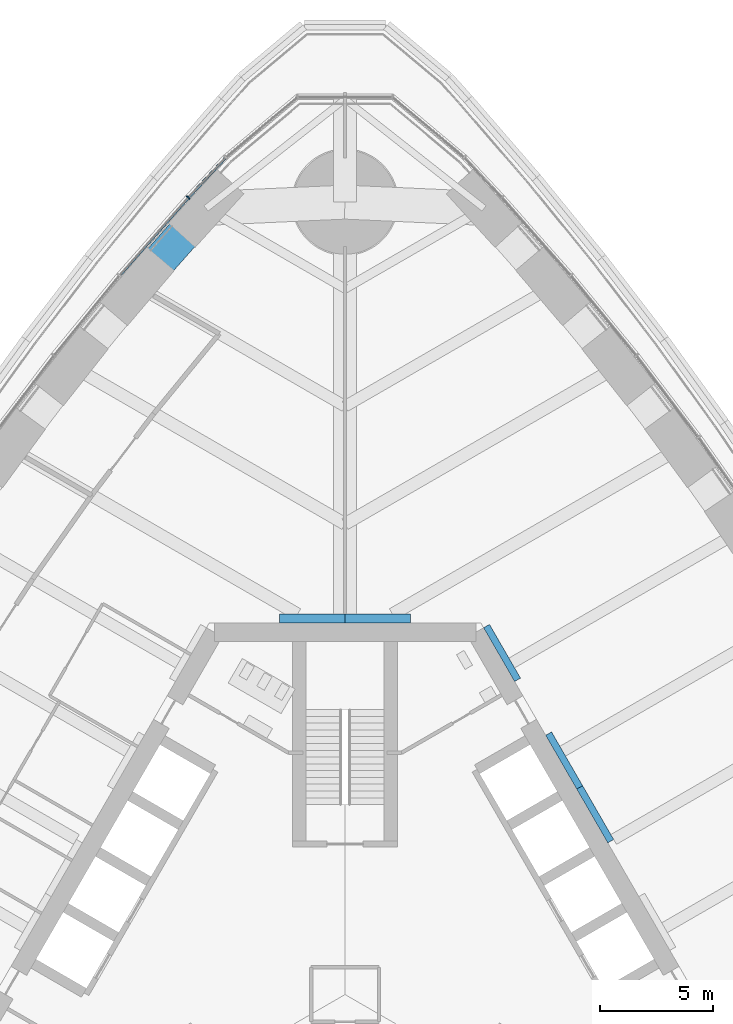
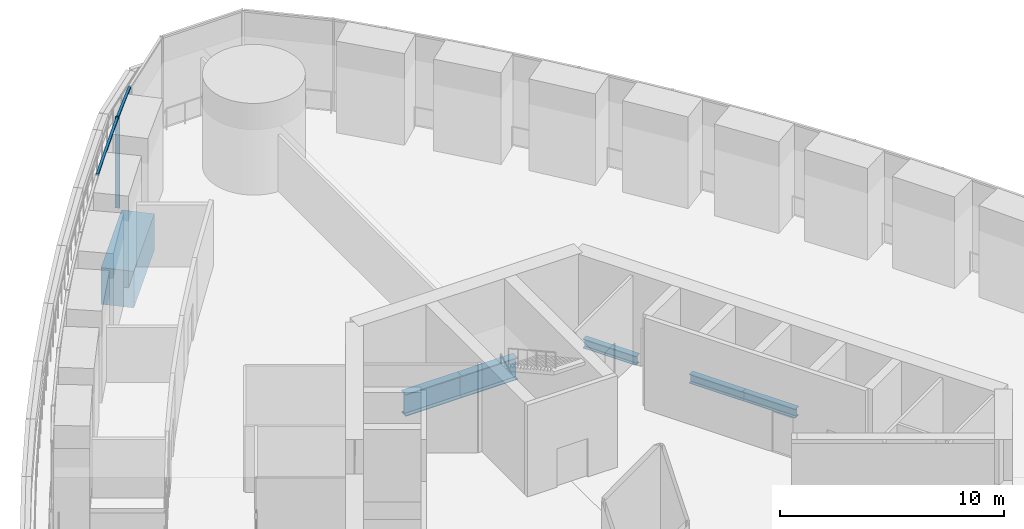
# One storey, part 7 of 33: 6 beams, 3 members, 1 element without a shape of its own.
"""IFC4 building model written with IfcOpenShell, lengths in metres."""

from ifc_helpers import new_model, si_unit, direction, frame, origin, origin_2d, place, context, subcontext, project, spatial, rectangle, i_section, extrude, material, material_profile, profile_set, type_object, element, aggregate, save


model = new_model("IFC4")

# Units and contexts
model_context = context("Model", 3, precision=1e-05, world=origin(), true_north=direction((0.0, 1.0)))
body_context = subcontext(model_context, "Body", "Model", "MODEL_VIEW")
ifc_project = project(units=[si_unit("LENGTHUNIT", "METRE"), si_unit("AREAUNIT", "SQUARE_METRE"), si_unit("VOLUMEUNIT", "CUBIC_METRE"), si_unit("PLANEANGLEUNIT", "RADIAN"), si_unit("MASSUNIT", "GRAM", prefix="KILO")], contexts=[model_context])

# Site, building, storey
site_placement = place(None, origin())
site = spatial("IfcSite", under=ifc_project, at=site_placement, CompositionType="ELEMENT")
building_placement = place(site_placement, origin())
building = spatial("IfcBuilding", under=site, at=building_placement, Name="Trefoil Bronze Tower", CompositionType="ELEMENT")
storey_placement = place(building_placement, frame((0.0, 0.0, 98.10009765625)))
storey = spatial("IfcBuildingStorey", under=building, at=storey_placement, Name="L22", CompositionType="ELEMENT", Elevation=98.10009765625)

# Curtain wall, members
ifc_material_1 = material(Name="Tinted solar-control glass", Category="glass")
curtain_wall_type = type_object("IfcCurtainWallType", Name="Bronze sky lobby curtain wall", PredefinedType="USERDEFINED", material=ifc_material_1)
curtain_wall_placement = place(storey_placement, origin())
curtain_wall = element("IfcCurtainWall", 1, at=curtain_wall_placement, inside=storey, type_object=curtain_wall_type, Name="CW-D L22 F3 run 1", ObjectType="CURTAIN WALL", PredefinedType="USERDEFINED")
ifc_material_2 = material(Name="Bronze-finish aluminium", Category="aluminium")
ifc_material_profile_1 = material_profile(ifc_material_2, rectangle(XDim=0.199951171875, YDim=0.06005859375, at=origin_2d()), Name="CW-D mullion")
ifc_profile_set_1 = profile_set([ifc_material_profile_1], Name="Bronze-finish aluminium")
member_type_1 = type_object("IfcMemberType", Name="Bronze sky lobby curtain wall mullion", PredefinedType="MULLION", material=ifc_profile_set_1)
member_1_placement = place(storey_placement, frame((-6.922119140625, 35.19775390625, 0.0), z_axis=(0.0, 0.0, 1.0), x_axis=(0.740360700327, -0.672209813534, 0.0)))
member_1 = element("IfcMember", 2, at=member_1_placement, type_object=member_type_1, Name="CW-D L22 F3 run 1 mullion 2", PredefinedType="MULLION", context=body_context, shape_type="SweptSolid", body=[
    extrude(rectangle(XDim=0.199951171875, YDim=0.06005859375, at=origin_2d()), origin(), (0.0, 0.0, 1.0), 4.97998046875),
])
ifc_material_3 = material(Name="Bronze-finish aluminium", Category="aluminium")
ifc_material_profile_2 = material_profile(ifc_material_3, rectangle(XDim=0.1201171875, YDim=0.10009765625, at=origin_2d()), Name="CW-D transom")
ifc_profile_set_2 = profile_set([ifc_material_profile_2], Name="Bronze-finish aluminium")
member_type_2 = type_object("IfcMemberType", Name="Bronze sky lobby curtain wall transom", PredefinedType="USERDEFINED", material=ifc_profile_set_2)
member_2_placement = place(storey_placement, frame((-5.289794921875, 36.945556640625, 4.929931640625), z_axis=(-0.68253936347, -0.730848833422, 0.0), x_axis=(0.730848833422, -0.68253936347, 0.0)))
member_2 = element("IfcMember", 3, at=member_2_placement, type_object=member_type_2, Name="CW-D L22 F3 run 1 transom 1", ObjectType="TRANSOM", PredefinedType="USERDEFINED", context=body_context, shape_type="SweptSolid", body=[
    extrude(rectangle(XDim=0.1201171875, YDim=0.10009765625, at=origin_2d()), origin(), (0.0, 0.0, 1.0), 2.360107421875),
])
member_3_placement = place(storey_placement, frame((-6.94287109375, 35.17431640625, 4.929931640625), z_axis=(-0.661714299212, -0.749756084483, 0.0), x_axis=(0.749756084483, -0.661714299212, 0.0)))
member_3 = element("IfcMember", 4, at=member_3_placement, type_object=member_type_2, Name="CW-D L22 F3 run 1 transom 2", ObjectType="TRANSOM", PredefinedType="USERDEFINED", context=body_context, shape_type="SweptSolid", body=[
    extrude(rectangle(XDim=0.1201171875, YDim=0.10009765625, at=origin_2d()), origin(), (0.0, 0.0, 1.0), 4.531005859375),
])
aggregate(curtain_wall, [member_1, member_2, member_3])

# Beams
ifc_material_4 = material(Name="Steel C355", Category="steel")
ifc_material_profile_3 = material_profile(ifc_material_4, i_section(OverallWidth=0.300048828125, OverallDepth=0.5, WebThickness=0.014404296875, FlangeThickness=0.028076171875, FilletRadius=0.027099609375, at=origin_2d()), Name="HEB 500")
ifc_profile_set_3 = profile_set([ifc_material_profile_3], Name="Steel C355")
beam_type_1 = type_object("IfcBeamType", Name="Core seat beam HEB 500", PredefinedType="BEAM", material=ifc_profile_set_3)
for number, where, z_axis, x_axis, name in (
    (5, (11.734619140625, 6.77490234375, -0.4501953125), (-0.499969057507, 0.866043267704, 0.0), (-0.866043267704, -0.499969057507, 0.0), "Core seat beam F2/+0 L22"),
    (6, (10.363525390625, 9.14990234375, -0.4501953125), (-0.500035825175, 0.866004719122, 0.0), (-0.866004719122, -0.500035825175, 0.0), "Core seat beam F2/+1 L22"),
    (7, (7.62109375, 13.89990234375, -0.4501953125), (-0.500035825175, 0.866004719122, 0.0), (-0.866004719122, -0.500035825175, 0.0), "Core seat beam F2/+2 L22"),
):
    element("IfcBeam", number, at=place(storey_placement, frame(where, z_axis=z_axis, x_axis=x_axis)), inside=storey, type_object=beam_type_1, Name=name, PredefinedType="BEAM", context=body_context, shape_type="SweptSolid", body=[
        extrude(i_section(OverallWidth=0.300048828125, OverallDepth=0.5, WebThickness=0.014404296875, FlangeThickness=0.028076171875, FilletRadius=0.027099609375, at=origin_2d()), origin(), (0.0, 0.0, 1.0), 2.742431640625),
    ])
ifc_material_5 = material(Name="Steel C355", Category="steel")
ifc_material_profile_4 = material_profile(ifc_material_5, i_section(OverallWidth=0.39990234375, OverallDepth=1.199951171875, WebThickness=0.02001953125, FlangeThickness=0.0400390625, FilletRadius=0.010009765625, at=origin_2d()), Name="WPG 1200")
ifc_profile_set_4 = profile_set([ifc_material_profile_4], Name="Steel C355")
beam_type_2 = type_object("IfcBeamType", Name="Core seat beam WPG 1200", PredefinedType="BEAM", material=ifc_profile_set_4)
for number, where, z_axis, x_axis, name in (
    (8, (2.88671875, 16.60009765625, -0.800048828125), (-1.0, 0.0, 0.0), (0.0, -1.0, 0.0), "Core seat beam F2/+3 L22"),
    (9, (0.0, 16.60009765625, -0.800048828125), (-1.0, 0.0, 0.0), (0.0, -1.0, 0.0), "Core seat beam F3/-3 L22"),
):
    element("IfcBeam", number, at=place(storey_placement, frame(where, z_axis=z_axis, x_axis=x_axis)), inside=storey, type_object=beam_type_2, Name=name, PredefinedType="BEAM", context=body_context, shape_type="SweptSolid", body=[
        extrude(i_section(OverallWidth=0.39990234375, OverallDepth=1.199951171875, WebThickness=0.02001953125, FlangeThickness=0.0400390625, FilletRadius=0.010009765625, at=origin_2d()), origin(), (0.0, 0.0, 1.0), 2.88671875),
    ])
ifc_material_6 = material(Name="Concrete B80", Category="concrete")
ifc_material_profile_5 = material_profile(ifc_material_6, rectangle(XDim=1.5, YDim=2.0, at=origin_2d()), Name="RC 1500x2000")
ifc_profile_set_5 = profile_set([ifc_material_profile_5], Name="Concrete B80")
beam_type_3 = type_object("IfcBeamType", Name="Spandrel beam RC 1500x2000", PredefinedType="SPANDREL", material=ifc_profile_set_5)
beam_placement = place(storey_placement, frame((-6.13916015625, 34.72119140625, -1.2001953125), z_axis=(-0.662616326239, -0.748959013699, 0.0), x_axis=(0.748959013699, -0.662616326239, 0.0)))
element("IfcBeam", 10, at=beam_placement, inside=storey, type_object=beam_type_3, Name="Spandrel F3.2 L22", PredefinedType="SPANDREL", context=body_context, shape_type="SweptSolid", body=[
    extrude(rectangle(XDim=1.5, YDim=2.0, at=origin_2d()), origin(), (0.0, 0.0, 1.0), 4.592041015625),
])

save(model, "model.ifc")
